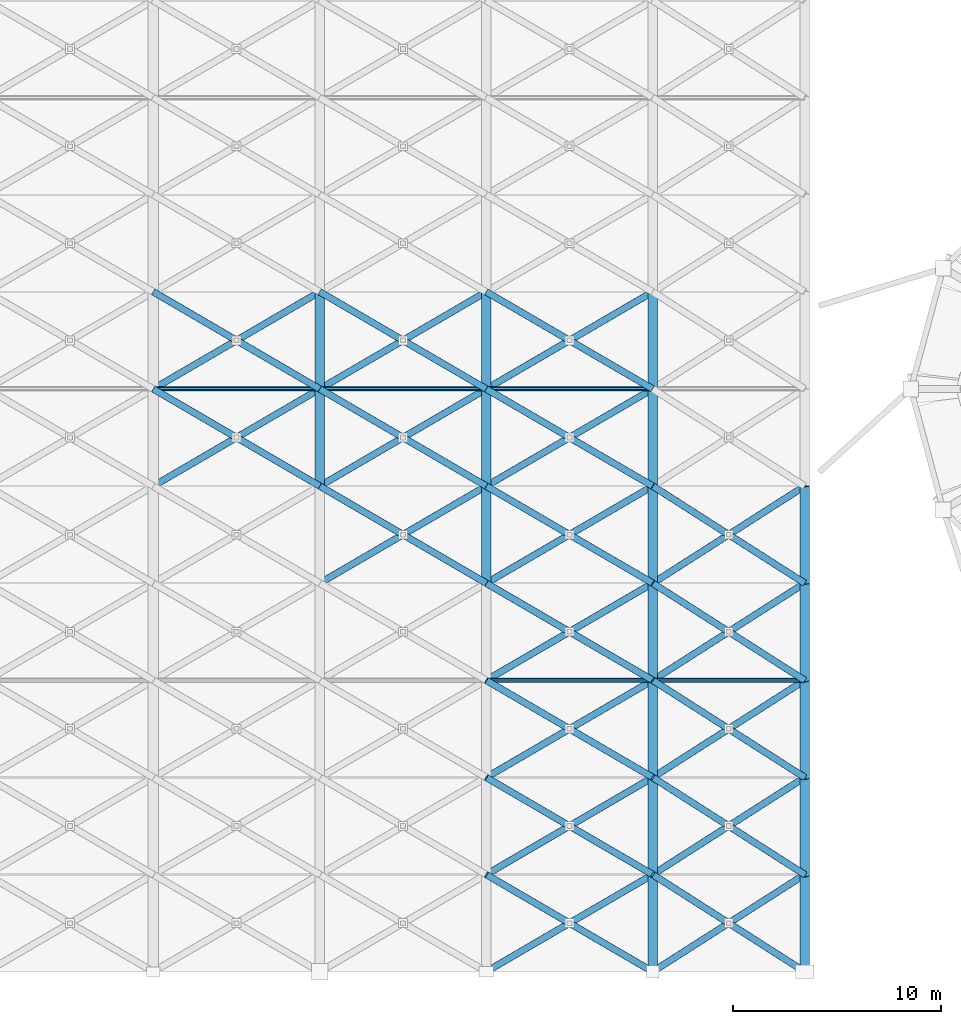
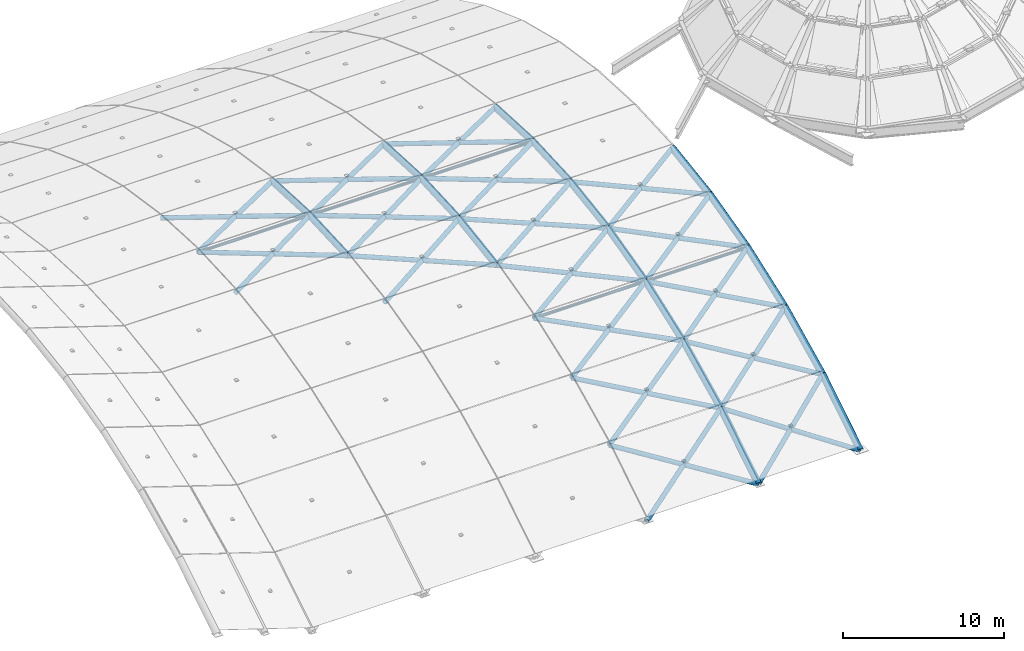
# One storey, part 3 of 21: 73 members.
"""IFC4 building model written with IfcOpenShell, lengths in metres."""

from ifc_helpers import new_model, si_unit, direction, frame, origin, origin_2d, place, context, subcontext, project, spatial, hollow_circle, extrude, material, material_profile, profile_set, type_object, element, save


model = new_model("IFC4")

# Units and contexts
model_context = context("Model", 3, precision=1e-05, world=origin(), true_north=direction((0.0, 1.0)))
body_context = subcontext(model_context, "Body", "Model", "MODEL_VIEW")
ifc_project = project(units=[si_unit("LENGTHUNIT", "METRE"), si_unit("AREAUNIT", "SQUARE_METRE"), si_unit("VOLUMEUNIT", "CUBIC_METRE"), si_unit("PLANEANGLEUNIT", "RADIAN"), si_unit("MASSUNIT", "GRAM", prefix="KILO")], contexts=[model_context])

# Site, building, storey
site_placement = place(None, origin())
site = spatial("IfcSite", under=ifc_project, at=site_placement, CompositionType="ELEMENT")
building_placement = place(site_placement, origin())
building = spatial("IfcBuilding", under=site, at=building_placement, Name="Solmirada Galleria", CompositionType="ELEMENT")
storey_placement = place(building_placement, frame((0.0, 0.0, 37.5)))
storey = spatial("IfcBuildingStorey", under=building, at=storey_placement, Name="RF", CompositionType="ELEMENT", Elevation=37.5)

# Members
ifc_material = material(Name="Steel S355 / ASTM A500 Grade C", Category="steel")
ifc_material_profile_1 = material_profile(ifc_material, hollow_circle(Radius=0.109619140625, WallThickness=0.007568359375, at=origin_2d()), Name="HSS8.625X0.322")
ifc_profile_set_1 = profile_set([ifc_material_profile_1], Name="Steel S355 / ASTM A500 Grade C")
member_type_1 = type_object("IfcMemberType", Name="MEM-DOME-PURL", PredefinedType="PURLIN", material=ifc_profile_set_1)
for number, where, z_axis, x_axis, name in (
    (1, (48.0, 60.0, -0.360107421875), (1.0, 0.0, 0.0), (0.0, 1.0, 0.0), "Barrel gridshell longitudinal tie W03-06"),
    (2, (56.0, 60.0, -0.360107421875), (1.0, 0.0, 0.0), (0.0, 1.0, 0.0), "Barrel gridshell longitudinal tie W04-06"),
    (3, (64.0, 46.0, -2.471923828125), (1.0, 0.0, 0.0), (0.0, 1.0, 0.0), "Barrel gridshell longitudinal tie W05-03"),
    (4, (64.0, 60.0, -0.360107421875), (1.0, 0.0, 0.0), (0.0, 1.0, 0.0), "Barrel gridshell longitudinal tie W05-06"),
):
    element("IfcMember", number, at=place(storey_placement, frame(where, z_axis=z_axis, x_axis=x_axis)), inside=storey, type_object=member_type_1, Name=name, PredefinedType="PURLIN", context=body_context, shape_type="SweptSolid", body=[
        extrude(hollow_circle(Radius=0.109619140625, WallThickness=0.007568359375, at=origin_2d()), origin(), (0.0, 0.0, 1.0), 8.0),
    ])
member_1_placement = place(storey_placement, frame((72.0, 46.0, -2.471923828125), z_axis=(1.0, 0.0, 0.0), x_axis=(0.0, 1.0, 0.0)))
element("IfcMember", 5, at=member_1_placement, inside=storey, type_object=member_type_1, Name="Barrel gridshell longitudinal tie W06-03", PredefinedType="PURLIN", context=body_context, shape_type="SweptSolid", body=[
    extrude(hollow_circle(Radius=0.109619140625, WallThickness=0.007568359375, at=origin_2d()), origin(), (0.0, 0.0, 1.0), 7.300048828125),
])
ifc_material_profile_2 = material_profile(ifc_material, hollow_circle(Radius=0.228515625, WallThickness=0.01171875, at=origin_2d()), Name="HSS18.000X0.500")
ifc_profile_set_2 = profile_set([ifc_material_profile_2], Name="Steel S355 / ASTM A500 Grade C")
member_type_2 = type_object("IfcMemberType", Name="MEM-VAULT-ARCH2", PredefinedType="RAFTER", material=ifc_profile_set_2)
for number, where, z_axis, x_axis, name in (
    (6, (56.0, 55.333251953125, -0.5908203125), (0.0, 0.998780196655, 0.049377310271), (-1.0, 0.0, 0.0), "Barrel vault arch rib W04-05"),
    (7, (56.0, 60.0, -0.360107421875), (0.0, 0.998780196655, -0.049377310271), (-1.0, 0.0, 0.0), "Barrel vault arch rib W04-06"),
):
    element("IfcMember", number, at=place(storey_placement, frame(where, z_axis=z_axis, x_axis=x_axis)), inside=storey, type_object=member_type_2, Name=name, PredefinedType="RAFTER", context=body_context, shape_type="SweptSolid", body=[
        extrude(hollow_circle(Radius=0.228515625, WallThickness=0.01171875, at=origin_2d()), origin(), (0.0, 0.0, 1.0), 4.67236328125),
    ])
member_2_placement = place(storey_placement, frame((64.0, 50.666748046875, -1.288818359375), z_axis=(0.0, 0.988997751156, 0.14793055198), x_axis=(-1.0, 0.0, 0.0)))
element("IfcMember", 8, at=member_2_placement, inside=storey, type_object=member_type_2, Name="Barrel vault arch rib W05-04", PredefinedType="RAFTER", context=body_context, shape_type="SweptSolid", body=[
    extrude(hollow_circle(Radius=0.228515625, WallThickness=0.01171875, at=origin_2d()), origin(), (0.0, 0.0, 1.0), 4.718505859375),
])
for number, where, z_axis, x_axis, name in (
    (9, (64.0, 55.333251953125, -0.5908203125), (0.0, 0.998780196655, 0.049377310271), (-1.0, 0.0, 0.0), "Barrel vault arch rib W05-05"),
    (10, (64.0, 60.0, -0.360107421875), (0.0, 0.998780196655, -0.049377310271), (-1.0, 0.0, 0.0), "Barrel vault arch rib W05-06"),
):
    element("IfcMember", number, at=place(storey_placement, frame(where, z_axis=z_axis, x_axis=x_axis)), inside=storey, type_object=member_type_2, Name=name, PredefinedType="RAFTER", context=body_context, shape_type="SweptSolid", body=[
        extrude(hollow_circle(Radius=0.228515625, WallThickness=0.01171875, at=origin_2d()), origin(), (0.0, 0.0, 1.0), 4.67236328125),
    ])
member_3_placement = place(storey_placement, frame((72.0, 32.0, -9.360107421875), z_axis=(0.0, 0.847856236134, 0.53022618084), x_axis=(-1.0, 0.0, 0.0)))
element("IfcMember", 11, at=member_3_placement, inside=storey, type_object=member_type_2, Name="Barrel vault arch rib W06-00", PredefinedType="RAFTER", context=body_context, shape_type="SweptSolid", body=[
    extrude(hollow_circle(Radius=0.228515625, WallThickness=0.01171875, at=origin_2d()), origin(), (0.0, 0.0, 1.0), 5.504150390625),
])
member_4_placement = place(storey_placement, frame((72.0, 36.666748046875, -6.441650390625), z_axis=(0.0, 0.899303609311, 0.437324842971), x_axis=(-1.0, 0.0, 0.0)))
element("IfcMember", 12, at=member_4_placement, inside=storey, type_object=member_type_2, Name="Barrel vault arch rib W06-01", PredefinedType="RAFTER", context=body_context, shape_type="SweptSolid", body=[
    extrude(hollow_circle(Radius=0.228515625, WallThickness=0.01171875, at=origin_2d()), origin(), (0.0, 0.0, 1.0), 5.18896484375),
])
member_5_placement = place(storey_placement, frame((72.0, 41.333251953125, -4.17236328125), z_axis=(0.0, 0.939570777515, 0.342354719612), x_axis=(-1.0, 0.0, 0.0)))
element("IfcMember", 13, at=member_5_placement, inside=storey, type_object=member_type_2, Name="Barrel vault arch rib W06-02", PredefinedType="RAFTER", context=body_context, shape_type="SweptSolid", body=[
    extrude(hollow_circle(Radius=0.228515625, WallThickness=0.01171875, at=origin_2d()), origin(), (0.0, 0.0, 1.0), 4.966796875),
])
member_6_placement = place(storey_placement, frame((72.0, 46.0, -2.471923828125), z_axis=(0.0, 0.969334768515, 0.245743985782), x_axis=(-1.0, 0.0, 0.0)))
element("IfcMember", 14, at=member_6_placement, inside=storey, type_object=member_type_2, Name="Barrel vault arch rib W06-03", PredefinedType="RAFTER", context=body_context, shape_type="SweptSolid", body=[
    extrude(hollow_circle(Radius=0.228515625, WallThickness=0.01171875, at=origin_2d()), origin(), (0.0, 0.0, 1.0), 4.814453125),
])
member_7_placement = place(storey_placement, frame((72.0, 50.666748046875, -1.288818359375), z_axis=(0.0, 0.988997751156, 0.14793055198), x_axis=(-1.0, 0.0, 0.0)))
element("IfcMember", 15, at=member_7_placement, inside=storey, type_object=member_type_2, Name="Barrel vault arch rib W06-04", PredefinedType="RAFTER", context=body_context, shape_type="SweptSolid", body=[
    extrude(hollow_circle(Radius=0.228515625, WallThickness=0.01171875, at=origin_2d()), origin(), (0.0, 0.0, 1.0), 4.718505859375),
])
for number, where, z_axis, x_axis, name in (
    (16, (72.0, 55.333251953125, -0.5908203125), (0.0, 0.998780196655, 0.049377310271), (-1.0, 0.0, 0.0), "Barrel vault arch rib W06-05"),
    (17, (72.0, 60.0, -0.360107421875), (0.0, 0.998780196655, -0.049377310271), (-1.0, 0.0, 0.0), "Barrel vault arch rib W06-06"),
):
    element("IfcMember", number, at=place(storey_placement, frame(where, z_axis=z_axis, x_axis=x_axis)), inside=storey, type_object=member_type_2, Name=name, PredefinedType="RAFTER", context=body_context, shape_type="SweptSolid", body=[
        extrude(hollow_circle(Radius=0.228515625, WallThickness=0.01171875, at=origin_2d()), origin(), (0.0, 0.0, 1.0), 4.67236328125),
    ])
member_8_placement = place(storey_placement, frame((79.300048828125, 32.0, -9.360107421875), z_axis=(0.0, 0.847856236134, 0.53022618084), x_axis=(-1.0, 0.0, 0.0)))
element("IfcMember", 18, at=member_8_placement, inside=storey, type_object=member_type_2, Name="Barrel vault arch rib W07-00", PredefinedType="RAFTER", context=body_context, shape_type="SweptSolid", body=[
    extrude(hollow_circle(Radius=0.228515625, WallThickness=0.01171875, at=origin_2d()), origin(), (0.0, 0.0, 1.0), 5.504150390625),
])
member_9_placement = place(storey_placement, frame((79.300048828125, 36.666748046875, -6.441650390625), z_axis=(0.0, 0.899303609311, 0.437324842971), x_axis=(-1.0, 0.0, 0.0)))
element("IfcMember", 19, at=member_9_placement, inside=storey, type_object=member_type_2, Name="Barrel vault arch rib W07-01", PredefinedType="RAFTER", context=body_context, shape_type="SweptSolid", body=[
    extrude(hollow_circle(Radius=0.228515625, WallThickness=0.01171875, at=origin_2d()), origin(), (0.0, 0.0, 1.0), 5.18896484375),
])
member_10_placement = place(storey_placement, frame((79.300048828125, 41.333251953125, -4.17236328125), z_axis=(0.0, 0.939570777515, 0.342354719612), x_axis=(-1.0, 0.0, 0.0)))
element("IfcMember", 20, at=member_10_placement, inside=storey, type_object=member_type_2, Name="Barrel vault arch rib W07-02", PredefinedType="RAFTER", context=body_context, shape_type="SweptSolid", body=[
    extrude(hollow_circle(Radius=0.228515625, WallThickness=0.01171875, at=origin_2d()), origin(), (0.0, 0.0, 1.0), 4.966796875),
])
member_11_placement = place(storey_placement, frame((79.300048828125, 46.0, -2.471923828125), z_axis=(0.0, 0.969334768515, 0.245743985782), x_axis=(-1.0, 0.0, 0.0)))
element("IfcMember", 21, at=member_11_placement, inside=storey, type_object=member_type_2, Name="Barrel vault arch rib W07-03", PredefinedType="RAFTER", context=body_context, shape_type="SweptSolid", body=[
    extrude(hollow_circle(Radius=0.228515625, WallThickness=0.01171875, at=origin_2d()), origin(), (0.0, 0.0, 1.0), 4.814453125),
])
member_12_placement = place(storey_placement, frame((79.300048828125, 50.666748046875, -1.288818359375), z_axis=(0.0, 0.988997751156, 0.14793055198), x_axis=(-1.0, 0.0, 0.0)))
element("IfcMember", 22, at=member_12_placement, inside=storey, type_object=member_type_2, Name="Barrel vault arch rib W07-04", PredefinedType="RAFTER", context=body_context, shape_type="SweptSolid", body=[
    extrude(hollow_circle(Radius=0.228515625, WallThickness=0.01171875, at=origin_2d()), origin(), (0.0, 0.0, 1.0), 4.718505859375),
])
ifc_material_profile_3 = material_profile(ifc_material, hollow_circle(Radius=0.162109375, WallThickness=0.0087890625, at=origin_2d()), Name="HSS12.750X0.375")
ifc_profile_set_3 = profile_set([ifc_material_profile_3], Name="Steel S355 / ASTM A500 Grade C")
member_type_3 = type_object("IfcMemberType", Name="MEM-VAULT-DIAG", PredefinedType="BRACE", material=ifc_profile_set_3)
member_13_placement = place(storey_placement, frame((48.0, 55.333251953125, -0.5908203125), z_axis=(0.863507200646, 0.50372131776, 0.024902780292), x_axis=(-0.503877581445, 0.863775076578, 0.0)))
element("IfcMember", 23, at=member_13_placement, inside=storey, type_object=member_type_3, Name="Barrel gridshell continuous diagonal W03-05", PredefinedType="BRACE", context=body_context, shape_type="SweptSolid", body=[
    extrude(hollow_circle(Radius=0.162109375, WallThickness=0.0087890625, at=origin_2d()), origin(), (0.0, 0.0, 1.0), 9.2646484375),
])
for number, where, z_axis, x_axis, name in (
    (24, (48.0, 60.0, -0.360107421875), (0.863519229282, -0.503701982071, -0.024876774672), (0.503857913421, 0.863786549492, 0.0), "Barrel gridshell split diagonal B1 W03-05"),
    (25, (52.0, 57.666748046875, -0.475341796875), (0.863495171314, -0.503740652308, -0.024928785158), (0.503897248685, 0.863763603521, 0.0), "Barrel gridshell split diagonal B2 W03-05"),
):
    element("IfcMember", number, at=place(storey_placement, frame(where, z_axis=z_axis, x_axis=x_axis)), inside=storey, type_object=member_type_3, Name=name, PredefinedType="BRACE", context=body_context, shape_type="SweptSolid", body=[
        extrude(hollow_circle(Radius=0.162109375, WallThickness=0.0087890625, at=origin_2d()), origin(), (0.0, 0.0, 1.0), 4.63232421875),
    ])
member_14_placement = place(storey_placement, frame((48.0, 60.0, -0.360107421875), z_axis=(0.863507200646, 0.50372131776, -0.024902780292), x_axis=(-0.503877581445, 0.863775076578, 0.0)))
element("IfcMember", 26, at=member_14_placement, inside=storey, type_object=member_type_3, Name="Barrel gridshell continuous diagonal W03-06", PredefinedType="BRACE", context=body_context, shape_type="SweptSolid", body=[
    extrude(hollow_circle(Radius=0.162109375, WallThickness=0.0087890625, at=origin_2d()), origin(), (0.0, 0.0, 1.0), 9.2646484375),
])
for number, where, z_axis, x_axis, name in (
    (27, (48.0, 64.666748046875, -0.5908203125), (0.863518095898, -0.503701320953, 0.024929446982), (0.503857913421, 0.863786549492, 0.0), "Barrel gridshell split diagonal B1 W03-06"),
    (28, (52.0, 62.33349609375, -0.475341796875), (0.863496304608, -0.503741313442, 0.024876114244), (0.503897248685, 0.863763603521, 0.0), "Barrel gridshell split diagonal B2 W03-06"),
):
    element("IfcMember", number, at=place(storey_placement, frame(where, z_axis=z_axis, x_axis=x_axis)), inside=storey, type_object=member_type_3, Name=name, PredefinedType="BRACE", context=body_context, shape_type="SweptSolid", body=[
        extrude(hollow_circle(Radius=0.162109375, WallThickness=0.0087890625, at=origin_2d()), origin(), (0.0, 0.0, 1.0), 4.63232421875),
    ])
member_15_placement = place(storey_placement, frame((56.0, 50.666748046875, -1.288818359375), z_axis=(0.861343836227, 0.502433047047, 0.075152039422), x_axis=(-0.503857913421, 0.863786549492, 0.0)))
element("IfcMember", 29, at=member_15_placement, inside=storey, type_object=member_type_3, Name="Barrel gridshell continuous diagonal W04-04", PredefinedType="BRACE", context=body_context, shape_type="SweptSolid", body=[
    extrude(hollow_circle(Radius=0.162109375, WallThickness=0.0087890625, at=origin_2d()), origin(), (0.0, 0.0, 1.0), 9.287841796875),
])
for number, where, z_axis, x_axis, name in (
    (30, (56.0, 55.333251953125, -0.5908203125), (0.861345537481, -0.502434039411, -0.075125901676), (0.503857913421, 0.863786549492, 0.0), "Barrel gridshell split diagonal B1 W04-04"),
    (31, (60.0, 53.0, -0.939697265625), (0.861342134387, -0.502432054342, -0.075178177013), (0.503857913421, 0.863786549492, 0.0), "Barrel gridshell split diagonal B2 W04-04"),
):
    element("IfcMember", number, at=place(storey_placement, frame(where, z_axis=z_axis, x_axis=x_axis)), inside=storey, type_object=member_type_3, Name=name, PredefinedType="BRACE", context=body_context, shape_type="SweptSolid", body=[
        extrude(hollow_circle(Radius=0.162109375, WallThickness=0.0087890625, at=origin_2d()), origin(), (0.0, 0.0, 1.0), 4.643798828125),
    ])
member_16_placement = place(storey_placement, frame((56.0, 55.333251953125, -0.5908203125), z_axis=(0.863507200646, 0.50372131776, 0.024902780292), x_axis=(-0.503877581445, 0.863775076578, 0.0)))
element("IfcMember", 32, at=member_16_placement, inside=storey, type_object=member_type_3, Name="Barrel gridshell continuous diagonal W04-05", PredefinedType="BRACE", context=body_context, shape_type="SweptSolid", body=[
    extrude(hollow_circle(Radius=0.162109375, WallThickness=0.0087890625, at=origin_2d()), origin(), (0.0, 0.0, 1.0), 9.2646484375),
])
for number, where, z_axis, x_axis, name in (
    (33, (56.0, 60.0, -0.360107421875), (0.863519229282, -0.503701982071, -0.024876774672), (0.503857913421, 0.863786549492, 0.0), "Barrel gridshell split diagonal B1 W04-05"),
    (34, (60.0, 57.666748046875, -0.475341796875), (0.863495171314, -0.503740652308, -0.024928785158), (0.503897248685, 0.863763603521, 0.0), "Barrel gridshell split diagonal B2 W04-05"),
):
    element("IfcMember", number, at=place(storey_placement, frame(where, z_axis=z_axis, x_axis=x_axis)), inside=storey, type_object=member_type_3, Name=name, PredefinedType="BRACE", context=body_context, shape_type="SweptSolid", body=[
        extrude(hollow_circle(Radius=0.162109375, WallThickness=0.0087890625, at=origin_2d()), origin(), (0.0, 0.0, 1.0), 4.63232421875),
    ])
member_17_placement = place(storey_placement, frame((56.0, 60.0, -0.360107421875), z_axis=(0.863507200646, 0.50372131776, -0.024902780292), x_axis=(-0.503877581445, 0.863775076578, 0.0)))
element("IfcMember", 35, at=member_17_placement, inside=storey, type_object=member_type_3, Name="Barrel gridshell continuous diagonal W04-06", PredefinedType="BRACE", context=body_context, shape_type="SweptSolid", body=[
    extrude(hollow_circle(Radius=0.162109375, WallThickness=0.0087890625, at=origin_2d()), origin(), (0.0, 0.0, 1.0), 9.2646484375),
])
for number, where, z_axis, x_axis, name in (
    (36, (56.0, 64.666748046875, -0.5908203125), (0.863518095898, -0.503701320953, 0.024929446982), (0.503857913421, 0.863786549492, 0.0), "Barrel gridshell split diagonal B1 W04-06"),
    (37, (60.0, 62.33349609375, -0.475341796875), (0.863496304608, -0.503741313442, 0.024876114244), (0.503897248685, 0.863763603521, 0.0), "Barrel gridshell split diagonal B2 W04-06"),
):
    element("IfcMember", number, at=place(storey_placement, frame(where, z_axis=z_axis, x_axis=x_axis)), inside=storey, type_object=member_type_3, Name=name, PredefinedType="BRACE", context=body_context, shape_type="SweptSolid", body=[
        extrude(hollow_circle(Radius=0.162109375, WallThickness=0.0087890625, at=origin_2d()), origin(), (0.0, 0.0, 1.0), 4.63232421875),
    ])
member_18_placement = place(storey_placement, frame((64.0, 32.0, -9.360107421875), z_axis=(0.823841216452, 0.480582423477, 0.300543148849), x_axis=(-0.503877581445, 0.863775076578, 0.0)))
element("IfcMember", 38, at=member_18_placement, inside=storey, type_object=member_type_3, Name="Barrel gridshell continuous diagonal W05-00", PredefinedType="BRACE", context=body_context, shape_type="SweptSolid", body=[
    extrude(hollow_circle(Radius=0.162109375, WallThickness=0.0087890625, at=origin_2d()), origin(), (0.0, 0.0, 1.0), 9.710693359375),
])
member_19_placement = place(storey_placement, frame((64.0, 36.666748046875, -6.441650390625), z_axis=(0.823831262204, -0.480601758066, -0.300539517468), x_axis=(0.503897248685, 0.863763603521, 0.0)))
element("IfcMember", 39, at=member_19_placement, inside=storey, type_object=member_type_3, Name="Barrel gridshell split diagonal B1 W05-00", PredefinedType="BRACE", context=body_context, shape_type="SweptSolid", body=[
    extrude(hollow_circle(Radius=0.162109375, WallThickness=0.0087890625, at=origin_2d()), origin(), (0.0, 0.0, 1.0), 4.85546875),
])
member_20_placement = place(storey_placement, frame((68.0, 34.333251953125, -7.90087890625), z_axis=(0.823851170541, -0.480563088187, -0.300546780171), x_axis=(0.503857913421, 0.863786549492, 0.0)))
element("IfcMember", 40, at=member_20_placement, inside=storey, type_object=member_type_3, Name="Barrel gridshell split diagonal B2 W05-00", PredefinedType="BRACE", context=body_context, shape_type="SweptSolid", body=[
    extrude(hollow_circle(Radius=0.162109375, WallThickness=0.0087890625, at=origin_2d()), origin(), (0.0, 0.0, 1.0), 4.855224609375),
])
member_21_placement = place(storey_placement, frame((64.0, 36.666748046875, -6.441650390625), z_axis=(0.838969414701, 0.489381756366, 0.237982809743), x_axis=(-0.503857913421, 0.863786549492, 0.0)))
element("IfcMember", 41, at=member_21_placement, inside=storey, type_object=member_type_3, Name="Barrel gridshell continuous diagonal W05-01", PredefinedType="BRACE", context=body_context, shape_type="SweptSolid", body=[
    extrude(hollow_circle(Radius=0.162109375, WallThickness=0.0087890625, at=origin_2d()), origin(), (0.0, 0.0, 1.0), 9.535400390625),
])
for number, where, z_axis, x_axis, name in (
    (42, (64.0, 41.333251953125, -4.17236328125), (0.838974526438, -0.489384738108, -0.237958656272), (0.503857913421, 0.863786549492, 0.0), "Barrel gridshell split diagonal B1 W05-01"),
    (43, (68.0, 39.0, -5.306884765625), (0.838964302507, -0.489378774357, -0.238006962772), (0.503857913421, 0.863786549492, 0.0), "Barrel gridshell split diagonal B2 W05-01"),
):
    element("IfcMember", number, at=place(storey_placement, frame(where, z_axis=z_axis, x_axis=x_axis)), inside=storey, type_object=member_type_3, Name=name, PredefinedType="BRACE", context=body_context, shape_type="SweptSolid", body=[
        extrude(hollow_circle(Radius=0.162109375, WallThickness=0.0087890625, at=origin_2d()), origin(), (0.0, 0.0, 1.0), 4.767822265625),
    ])
member_22_placement = place(storey_placement, frame((64.0, 41.333251953125, -4.17236328125), z_axis=(0.84957466948, 0.495593866184, 0.180581285795), x_axis=(-0.503877581445, 0.863775076578, 0.0)))
element("IfcMember", 44, at=member_22_placement, inside=storey, type_object=member_type_3, Name="Barrel gridshell continuous diagonal W05-02", PredefinedType="BRACE", context=body_context, shape_type="SweptSolid", body=[
    extrude(hollow_circle(Radius=0.162109375, WallThickness=0.0087890625, at=origin_2d()), origin(), (0.0, 0.0, 1.0), 9.41650390625),
])
for number, where, z_axis, x_axis, name in (
    (45, (64.0, 46.0, -2.471923828125), (0.849581607741, -0.4955719864, -0.18060868773), (0.503857913421, 0.863786549492, 0.0), "Barrel gridshell split diagonal B1 W05-02"),
    (46, (68.0, 43.666748046875, -3.322265625), (0.849567730246, -0.495615744977, -0.180553884077), (0.503897248685, 0.863763603521, 0.0), "Barrel gridshell split diagonal B2 W05-02"),
):
    element("IfcMember", number, at=place(storey_placement, frame(where, z_axis=z_axis, x_axis=x_axis)), inside=storey, type_object=member_type_3, Name=name, PredefinedType="BRACE", context=body_context, shape_type="SweptSolid", body=[
        extrude(hollow_circle(Radius=0.162109375, WallThickness=0.0087890625, at=origin_2d()), origin(), (0.0, 0.0, 1.0), 4.708251953125),
    ])
member_23_placement = place(storey_placement, frame((64.0, 46.0, -2.471923828125), z_axis=(0.856812609173, 0.499816071299, 0.126712460451), x_axis=(-0.503877581445, 0.863775076578, 0.0)))
element("IfcMember", 47, at=member_23_placement, inside=storey, type_object=member_type_3, Name="Barrel gridshell continuous diagonal W05-03", PredefinedType="BRACE", context=body_context, shape_type="SweptSolid", body=[
    extrude(hollow_circle(Radius=0.162109375, WallThickness=0.0087890625, at=origin_2d()), origin(), (0.0, 0.0, 1.0), 9.3369140625),
])
for number, where, z_axis, x_axis, name in (
    (48, (64.0, 50.666748046875, -1.288818359375), (0.856801411318, -0.499835686608, -0.12671080442), (0.503897248685, 0.863763603521, 0.0), "Barrel gridshell split diagonal B1 W05-03"),
    (49, (68.0, 48.333251953125, -1.88037109375), (0.856823806881, -0.499796455222, -0.126714116459), (0.503857913421, 0.863786549492, 0.0), "Barrel gridshell split diagonal B2 W05-03"),
):
    element("IfcMember", number, at=place(storey_placement, frame(where, z_axis=z_axis, x_axis=x_axis)), inside=storey, type_object=member_type_3, Name=name, PredefinedType="BRACE", context=body_context, shape_type="SweptSolid", body=[
        extrude(hollow_circle(Radius=0.162109375, WallThickness=0.0087890625, at=origin_2d()), origin(), (0.0, 0.0, 1.0), 4.66845703125),
    ])
member_24_placement = place(storey_placement, frame((64.0, 50.666748046875, -1.288818359375), z_axis=(0.861343836227, 0.502433047047, 0.075152039422), x_axis=(-0.503857913421, 0.863786549492, 0.0)))
element("IfcMember", 50, at=member_24_placement, inside=storey, type_object=member_type_3, Name="Barrel gridshell continuous diagonal W05-04", PredefinedType="BRACE", context=body_context, shape_type="SweptSolid", body=[
    extrude(hollow_circle(Radius=0.162109375, WallThickness=0.0087890625, at=origin_2d()), origin(), (0.0, 0.0, 1.0), 9.287841796875),
])
for number, where, z_axis, x_axis, name in (
    (51, (64.0, 55.333251953125, -0.5908203125), (0.861345537481, -0.502434039411, -0.075125901676), (0.503857913421, 0.863786549492, 0.0), "Barrel gridshell split diagonal B1 W05-04"),
    (52, (68.0, 53.0, -0.939697265625), (0.861342134387, -0.502432054342, -0.075178177013), (0.503857913421, 0.863786549492, 0.0), "Barrel gridshell split diagonal B2 W05-04"),
):
    element("IfcMember", number, at=place(storey_placement, frame(where, z_axis=z_axis, x_axis=x_axis)), inside=storey, type_object=member_type_3, Name=name, PredefinedType="BRACE", context=body_context, shape_type="SweptSolid", body=[
        extrude(hollow_circle(Radius=0.162109375, WallThickness=0.0087890625, at=origin_2d()), origin(), (0.0, 0.0, 1.0), 4.643798828125),
    ])
member_25_placement = place(storey_placement, frame((64.0, 55.333251953125, -0.5908203125), z_axis=(0.863507200646, 0.50372131776, 0.024902780292), x_axis=(-0.503877581445, 0.863775076578, 0.0)))
element("IfcMember", 53, at=member_25_placement, inside=storey, type_object=member_type_3, Name="Barrel gridshell continuous diagonal W05-05", PredefinedType="BRACE", context=body_context, shape_type="SweptSolid", body=[
    extrude(hollow_circle(Radius=0.162109375, WallThickness=0.0087890625, at=origin_2d()), origin(), (0.0, 0.0, 1.0), 9.2646484375),
])
for number, where, z_axis, x_axis, name in (
    (54, (64.0, 60.0, -0.360107421875), (0.863519229282, -0.503701982071, -0.024876774672), (0.503857913421, 0.863786549492, 0.0), "Barrel gridshell split diagonal B1 W05-05"),
    (55, (68.0, 57.666748046875, -0.475341796875), (0.863495171314, -0.503740652308, -0.024928785158), (0.503897248685, 0.863763603521, 0.0), "Barrel gridshell split diagonal B2 W05-05"),
):
    element("IfcMember", number, at=place(storey_placement, frame(where, z_axis=z_axis, x_axis=x_axis)), inside=storey, type_object=member_type_3, Name=name, PredefinedType="BRACE", context=body_context, shape_type="SweptSolid", body=[
        extrude(hollow_circle(Radius=0.162109375, WallThickness=0.0087890625, at=origin_2d()), origin(), (0.0, 0.0, 1.0), 4.63232421875),
    ])
member_26_placement = place(storey_placement, frame((64.0, 60.0, -0.360107421875), z_axis=(0.863507200646, 0.50372131776, -0.024902780292), x_axis=(-0.503877581445, 0.863775076578, 0.0)))
element("IfcMember", 56, at=member_26_placement, inside=storey, type_object=member_type_3, Name="Barrel gridshell continuous diagonal W05-06", PredefinedType="BRACE", context=body_context, shape_type="SweptSolid", body=[
    extrude(hollow_circle(Radius=0.162109375, WallThickness=0.0087890625, at=origin_2d()), origin(), (0.0, 0.0, 1.0), 9.2646484375),
])
for number, where, z_axis, x_axis, name in (
    (57, (64.0, 64.666748046875, -0.5908203125), (0.863518095898, -0.503701320953, 0.024929446982), (0.503857913421, 0.863786549492, 0.0), "Barrel gridshell split diagonal B1 W05-06"),
    (58, (68.0, 62.33349609375, -0.475341796875), (0.863496304608, -0.503741313442, 0.024876114244), (0.503897248685, 0.863763603521, 0.0), "Barrel gridshell split diagonal B2 W05-06"),
):
    element("IfcMember", number, at=place(storey_placement, frame(where, z_axis=z_axis, x_axis=x_axis)), inside=storey, type_object=member_type_3, Name=name, PredefinedType="BRACE", context=body_context, shape_type="SweptSolid", body=[
        extrude(hollow_circle(Radius=0.162109375, WallThickness=0.0087890625, at=origin_2d()), origin(), (0.0, 0.0, 1.0), 4.63232421875),
    ])
member_27_placement = place(storey_placement, frame((72.0, 32.0, -9.360107421875), z_axis=(0.798467652545, 0.51044142933, 0.31921615727), x_axis=(-0.538621041402, 0.842548143289, 0.0)))
element("IfcMember", 59, at=member_27_placement, inside=storey, type_object=member_type_3, Name="Barrel gridshell continuous diagonal W06-00", PredefinedType="BRACE", context=body_context, shape_type="SweptSolid", body=[
    extrude(hollow_circle(Radius=0.162109375, WallThickness=0.0087890625, at=origin_2d()), origin(), (0.0, 0.0, 1.0), 9.142578125),
])
for number, where, z_axis, x_axis, name in (
    (60, (72.0, 36.666748046875, -6.441650390625), (0.79844708944, -0.510472058921, -0.31921861228), (0.53865383197, 0.842527180158, 0.0), "Barrel gridshell split diagonal B1 W06-00"),
    (61, (75.64990234375, 34.333251953125, -7.90087890625), (0.798488214243, -0.510410799513, -0.319213701861), (0.53858825058, 0.842569104784, 0.0), "Barrel gridshell split diagonal B2 W06-00"),
):
    element("IfcMember", number, at=place(storey_placement, frame(where, z_axis=z_axis, x_axis=x_axis)), inside=storey, type_object=member_type_3, Name=name, PredefinedType="BRACE", context=body_context, shape_type="SweptSolid", body=[
        extrude(hollow_circle(Radius=0.162109375, WallThickness=0.0087890625, at=origin_2d()), origin(), (0.0, 0.0, 1.0), 4.5712890625),
    ])
member_28_placement = place(storey_placement, frame((72.0, 36.666748046875, -6.441650390625), z_axis=(0.815067438216, 0.521026019667, 0.253371186188), x_axis=(-0.538601037793, 0.842560930787, 0.0)))
element("IfcMember", 62, at=member_28_placement, inside=storey, type_object=member_type_3, Name="Barrel gridshell continuous diagonal W06-01", PredefinedType="BRACE", context=body_context, shape_type="SweptSolid", body=[
    extrude(hollow_circle(Radius=0.162109375, WallThickness=0.0087890625, at=origin_2d()), origin(), (0.0, 0.0, 1.0), 8.956298828125),
])
member_29_placement = place(storey_placement, frame((72.0, 41.333251953125, -4.17236328125), z_axis=(0.815063917358, -0.521041194528, -0.253351305951), x_axis=(0.538613825489, 0.842552756207, 0.0)))
element("IfcMember", 63, at=member_29_placement, inside=storey, type_object=member_type_3, Name="Barrel gridshell split diagonal B1 W06-01", PredefinedType="BRACE", context=body_context, shape_type="SweptSolid", body=[
    extrude(hollow_circle(Radius=0.162109375, WallThickness=0.0087890625, at=origin_2d()), origin(), (0.0, 0.0, 1.0), 4.47802734375),
])
member_30_placement = place(storey_placement, frame((75.64990234375, 39.0, -5.306884765625), z_axis=(0.815070958349, -0.521010845358, -0.253391065106), x_axis=(0.53858825058, 0.842569104784, 0.0)))
element("IfcMember", 64, at=member_30_placement, inside=storey, type_object=member_type_3, Name="Barrel gridshell split diagonal B2 W06-01", PredefinedType="BRACE", context=body_context, shape_type="SweptSolid", body=[
    extrude(hollow_circle(Radius=0.162109375, WallThickness=0.0087890625, at=origin_2d()), origin(), (0.0, 0.0, 1.0), 4.478271484375),
])
member_31_placement = place(storey_placement, frame((72.0, 41.333251953125, -4.17236328125), z_axis=(0.826775837558, 0.528538180493, 0.192585321848), x_axis=(-0.538621041402, 0.842548143289, 0.0)))
element("IfcMember", 65, at=member_31_placement, inside=storey, type_object=member_type_3, Name="Barrel gridshell continuous diagonal W06-02", PredefinedType="BRACE", context=body_context, shape_type="SweptSolid", body=[
    extrude(hollow_circle(Radius=0.162109375, WallThickness=0.0087890625, at=origin_2d()), origin(), (0.0, 0.0, 1.0), 8.82958984375),
])
member_32_placement = place(storey_placement, frame((72.0, 46.0, -2.471923828125), z_axis=(0.826774767373, -0.528527521858, -0.192619164867), x_axis=(0.538613825489, 0.842552756207, 0.0)))
element("IfcMember", 66, at=member_32_placement, inside=storey, type_object=member_type_3, Name="Barrel gridshell split diagonal B1 W06-02", PredefinedType="BRACE", context=body_context, shape_type="SweptSolid", body=[
    extrude(hollow_circle(Radius=0.162109375, WallThickness=0.0087890625, at=origin_2d()), origin(), (0.0, 0.0, 1.0), 4.41455078125),
])
member_33_placement = place(storey_placement, frame((75.64990234375, 43.666748046875, -3.322265625), z_axis=(0.826776906633, -0.528548837776, -0.192551480763), x_axis=(0.538628256713, 0.842543530668, 0.0)))
element("IfcMember", 67, at=member_33_placement, inside=storey, type_object=member_type_3, Name="Barrel gridshell split diagonal B2 W06-02", PredefinedType="BRACE", context=body_context, shape_type="SweptSolid", body=[
    extrude(hollow_circle(Radius=0.162109375, WallThickness=0.0087890625, at=origin_2d()), origin(), (0.0, 0.0, 1.0), 4.414794921875),
])
member_34_placement = place(storey_placement, frame((72.0, 46.0, -2.471923828125), z_axis=(0.834801251458, 0.533668637223, 0.135294701333), x_axis=(-0.538621041402, 0.842548143289, 0.0)))
element("IfcMember", 68, at=member_34_placement, inside=storey, type_object=member_type_3, Name="Barrel gridshell continuous diagonal W06-03", PredefinedType="BRACE", context=body_context, shape_type="SweptSolid", body=[
    extrude(hollow_circle(Radius=0.162109375, WallThickness=0.0087890625, at=origin_2d()), origin(), (0.0, 0.0, 1.0), 8.74462890625),
])
for number, where, z_axis, x_axis, name in (
    (69, (72.0, 50.666748046875, -1.288818359375), (0.834780350223, -0.533701042637, -0.135295838702), (0.53865383197, 0.842527180158, 0.0), "Barrel gridshell split diagonal B1 W06-03"),
    (70, (75.64990234375, 48.333251953125, -1.88037109375), (0.834822151099, -0.53363623156, -0.135293563783), (0.53858825058, 0.842569104784, 0.0), "Barrel gridshell split diagonal B2 W06-03"),
):
    element("IfcMember", number, at=place(storey_placement, frame(where, z_axis=z_axis, x_axis=x_axis)), inside=storey, type_object=member_type_3, Name=name, PredefinedType="BRACE", context=body_context, shape_type="SweptSolid", body=[
        extrude(hollow_circle(Radius=0.162109375, WallThickness=0.0087890625, at=origin_2d()), origin(), (0.0, 0.0, 1.0), 4.372314453125),
    ])
member_35_placement = place(storey_placement, frame((72.0, 50.666748046875, -1.288818359375), z_axis=(0.839839964864, 0.536861679824, 0.080301744408), x_axis=(-0.538601037793, 0.842560930787, 0.0)))
element("IfcMember", 71, at=member_35_placement, inside=storey, type_object=member_type_3, Name="Barrel gridshell continuous diagonal W06-04", PredefinedType="BRACE", context=body_context, shape_type="SweptSolid", body=[
    extrude(hollow_circle(Radius=0.162109375, WallThickness=0.0087890625, at=origin_2d()), origin(), (0.0, 0.0, 1.0), 8.692138671875),
])
member_36_placement = place(storey_placement, frame((72.0, 55.333251953125, -0.5908203125), z_axis=(0.839833582077, -0.536875554777, -0.080275731692), x_axis=(0.538613825489, 0.842552756207, 0.0)))
element("IfcMember", 72, at=member_36_placement, inside=storey, type_object=member_type_3, Name="Barrel gridshell split diagonal B1 W06-04", PredefinedType="BRACE", context=body_context, shape_type="SweptSolid", body=[
    extrude(hollow_circle(Radius=0.162109375, WallThickness=0.0087890625, at=origin_2d()), origin(), (0.0, 0.0, 1.0), 4.345947265625),
])
member_37_placement = place(storey_placement, frame((75.64990234375, 53.0, -0.939697265625), z_axis=(0.839846346556, -0.536847805099, -0.080327755707), x_axis=(0.53858825058, 0.842569104784, 0.0)))
element("IfcMember", 73, at=member_37_placement, inside=storey, type_object=member_type_3, Name="Barrel gridshell split diagonal B2 W06-04", PredefinedType="BRACE", context=body_context, shape_type="SweptSolid", body=[
    extrude(hollow_circle(Radius=0.162109375, WallThickness=0.0087890625, at=origin_2d()), origin(), (0.0, 0.0, 1.0), 4.34619140625),
])

save(model, "model.ifc")
